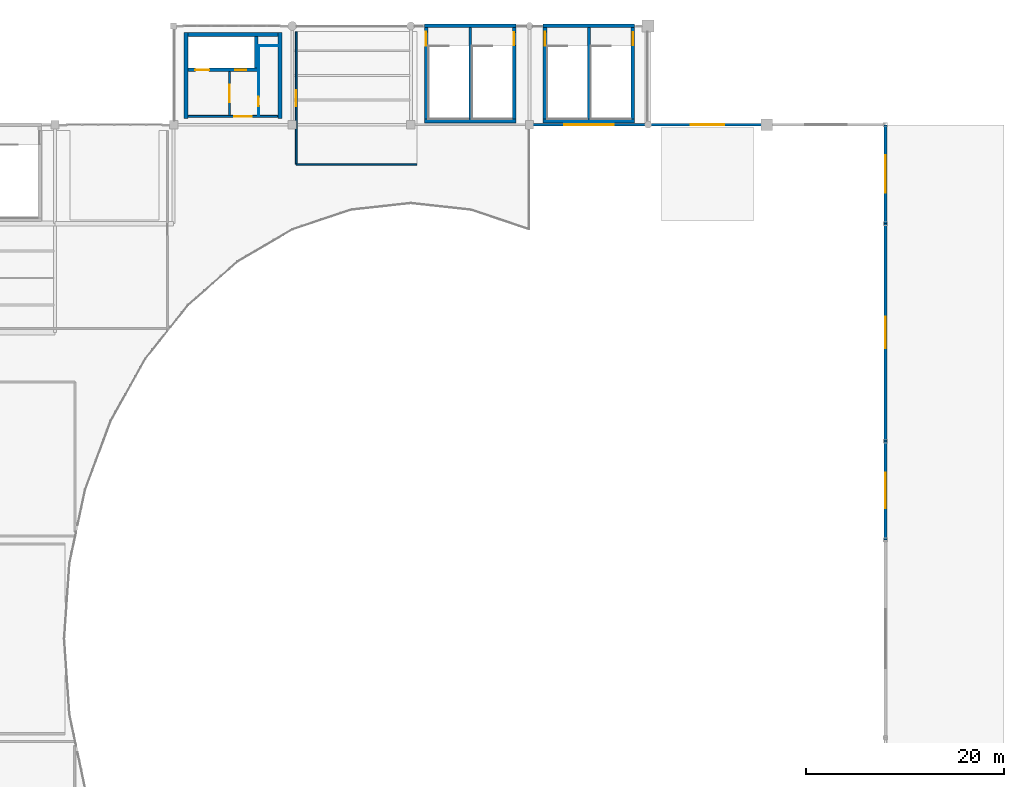
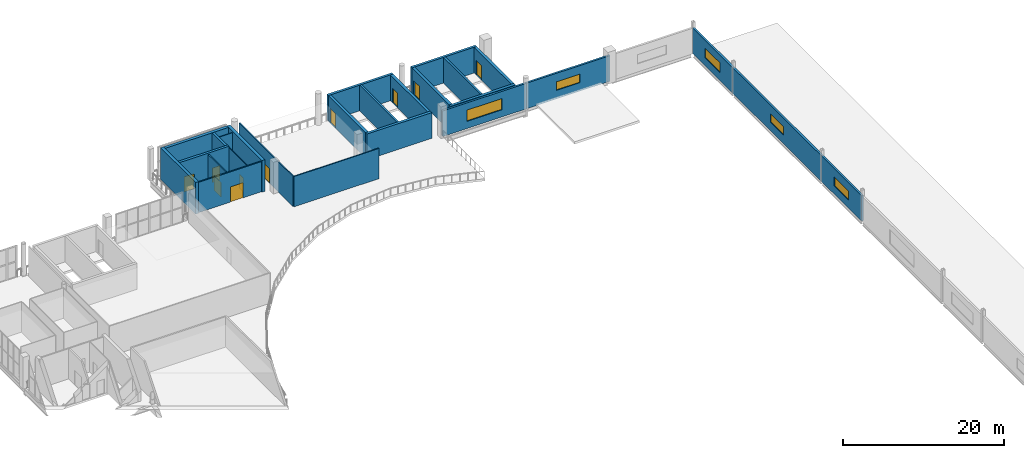
# One storey, part 40 of 49: 26 walls, 10 doors, 5 windows, 15 openings.
"""IFC4 building model written with IfcOpenShell, lengths in metres."""

from ifc_helpers import new_model, si_unit, direction, frame, frame_2d, origin, place, context, subcontext, project, spatial, rectangle, extrude, material, layer, layer_set, type_object, element, fill, save


model = new_model("IFC4")

# Units and contexts
model_context = context("Model", 3, precision=1e-05, world=origin(), true_north=direction((0.0, 1.0)))
body_context = subcontext(model_context, "Body", "Model", "MODEL_VIEW")
ifc_project = project(units=[si_unit("LENGTHUNIT", "METRE"), si_unit("AREAUNIT", "SQUARE_METRE"), si_unit("VOLUMEUNIT", "CUBIC_METRE"), si_unit("PLANEANGLEUNIT", "RADIAN"), si_unit("MASSUNIT", "GRAM", prefix="KILO")], contexts=[model_context])

# Site, building, storey
site_placement = place(None, origin())
site = spatial("IfcSite", under=ifc_project, at=site_placement, CompositionType="ELEMENT")
building_placement = place(site_placement, origin())
building = spatial("IfcBuilding", under=site, at=building_placement, Name="Brinegate Civic Arena", CompositionType="ELEMENT")
storey_placement = place(building_placement, frame((0.0, 0.0, 24.60009765625)))
storey = spatial("IfcBuildingStorey", under=building, at=storey_placement, Name="L05", CompositionType="ELEMENT", Elevation=24.60009765625)

# Wall, openings, doors
ifc_material_1 = material(Name="Concrete C50/60", Category="concrete")
ifc_layer_1 = layer(ifc_material_1, 0.35009765625, Name="Concrete C50/60")
ifc_layer_set_1 = layer_set([ifc_layer_1], Name="Concrete C50/60")
wall_type_1 = type_object("IfcWallType", Name="WALL-CORE-SHEAR-350", PredefinedType="SHEAR", material=ifc_layer_set_1)
wall_1_placement = place(storey_placement, frame((85.4599609375, 119.550048828125, 0.0), z_axis=(0.0, 0.0, 1.0), x_axis=(1.0, 0.0, 0.0)))
wall_1 = element("IfcWall", 1, at=wall_1_placement, inside=storey, type_object=wall_type_1, Name="Core K3 Lift Shaft Front Wall L05 (WBG-93)", PredefinedType="SHEAR", context=body_context, shape_type="SweptSolid", body=[
    extrude(rectangle(XDim=7.06494140625, YDim=0.35009765625, at=frame_2d((3.532470703125, 0.0))), origin(), (0.0, 0.0, 1.0), 4.7998046875),
])
opening_1_placement = place(wall_1_placement, frame((0.739990234375, 0.0, 0.0)))
opening_1 = element("IfcOpeningElement", 2, at=opening_1_placement, cuts=wall_1, Name="Opening LD-FL3-L05", PredefinedType="OPENING", context=body_context, shape_type="SweptSolid", body=[
    extrude(rectangle(XDim=1.39990234375, YDim=2.300048828125, at=frame_2d((0.699951171875, 1.14990234375))), frame((0.0, 0.18505859375, 0.0), z_axis=(0.0, -1.0, 0.0), x_axis=(1.0, 0.0, 0.0)), (0.0, 0.0, 1.0), 0.3701171875),
])
opening_2_placement = place(wall_1_placement, frame((4.7900390625, 0.0, 0.0)))
opening_2 = element("IfcOpeningElement", 3, at=opening_2_placement, cuts=wall_1, Name="Opening LD-PL5-L05", PredefinedType="OPENING", context=body_context, shape_type="SweptSolid", body=[
    extrude(rectangle(XDim=1.10009765625, YDim=2.199951171875, at=frame_2d((0.550048828125, 1.10009765625))), frame((0.0, 0.18505859375, 0.0), z_axis=(0.0, -1.0, 0.0), x_axis=(1.0, 0.0, 0.0)), (0.0, 0.0, 1.0), 0.3701171875),
])
ifc_material_2 = material(Name="Architectural stainless steel balustrade", Category="steel")
door_type_1 = type_object("IfcDoorType", Name="DOOR-LIFT-1100X2200", OperationType="SLIDING_TO_LEFT", PredefinedType="DOOR", material=ifc_material_2)
door_1_placement = place(opening_2_placement, origin())
door_1 = element("IfcDoor", 4, at=door_1_placement, inside=storey, type_object=door_type_1, Name="Sliding Lift Landing Door LD-PL5-L05", OperationType="SLIDING_TO_LEFT", OverallHeight=2.199951171875, OverallWidth=1.10009765625, PredefinedType="DOOR", context=body_context, shape_type="SweptSolid", body=[
    extrude(rectangle(XDim=1.10009765625, YDim=2.199951171875, at=frame_2d((0.550048828125, 1.10009765625))), frame((0.0, 0.02490234375, 0.0), z_axis=(0.0, -1.0, 0.0), x_axis=(1.0, 0.0, 0.0)), (0.0, 0.0, 1.0), 0.050048828125),
])
fill(opening_2, door_1)
door_type_2 = type_object("IfcDoorType", Name="DOOR-LIFT-1400X2300", OperationType="SLIDING_TO_LEFT", PredefinedType="DOOR", material=ifc_material_2)
door_2_placement = place(opening_1_placement, origin())
door_2 = element("IfcDoor", 5, at=door_2_placement, inside=storey, type_object=door_type_2, Name="Sliding Lift Landing Door LD-FL3-L05", OperationType="SLIDING_TO_LEFT", OverallHeight=2.300048828125, OverallWidth=1.39990234375, PredefinedType="DOOR", context=body_context, shape_type="SweptSolid", body=[
    extrude(rectangle(XDim=1.39990234375, YDim=2.300048828125, at=frame_2d((0.699951171875, 1.14990234375))), frame((0.0, 0.02490234375, 0.0), z_axis=(0.0, -1.0, 0.0), x_axis=(1.0, 0.0, 0.0)), (0.0, 0.0, 1.0), 0.050048828125),
])
fill(opening_1, door_2)

# Walls
wall_2_placement = place(storey_placement, frame((92.35009765625, 119.72509765625, 0.0), z_axis=(0.0, 0.0, 1.0), x_axis=(0.0, 1.0, 0.0)))
element("IfcWall", 6, at=wall_2_placement, inside=storey, type_object=wall_type_1, Name="Core K3 Lift Shaft End Wall L05 (WBG-94)", PredefinedType="SHEAR", context=body_context, shape_type="SweptSolid", body=[
    extrude(rectangle(XDim=3.21484375, YDim=0.35009765625, at=frame_2d((1.607421875, 0.0))), origin(), (0.0, 0.0, 1.0), 4.7998046875),
])
ifc_layer_2 = layer(ifc_material_1, 0.389892578125, Name="Concrete C50/60")
ifc_layer_set_2 = layer_set([ifc_layer_2], Name="Concrete C50/60")
wall_type_2 = type_object("IfcWallType", Name="WALL-CORE-SHEAR-390", PredefinedType="SHEAR", material=ifc_layer_set_2)
wall_3_placement = place(storey_placement, frame((121.35498046875, 114.39990234375, 0.0), z_axis=(0.0, 0.0, 1.0), x_axis=(1.0, 0.0, 0.0)))
element("IfcWall", 7, at=wall_3_placement, inside=storey, type_object=wall_type_2, Name="Stair ST-03 South Shear Wall L05 (WBB-87)", PredefinedType="SHEAR", context=body_context, shape_type="SweptSolid", body=[
    extrude(rectangle(XDim=9.2900390625, YDim=0.389892578125, at=frame_2d((4.64501953125, 0.0))), origin(), (0.0, 0.0, 1.0), 3.89990234375),
])

# Wall, opening, door
wall_4_placement = place(storey_placement, frame((121.550048828125, 114.594970703125, 0.0), z_axis=(0.0, 0.0, 1.0), x_axis=(0.0, 1.0, 0.0)))
wall_4 = element("IfcWall", 8, at=wall_4_placement, inside=storey, type_object=wall_type_2, Name="Stair ST-03 West Shear Wall L05 (WBB-89)", PredefinedType="SHEAR", context=body_context, shape_type="SweptSolid", body=[
    extrude(rectangle(XDim=9.22998046875, YDim=0.389892578125, at=frame_2d((4.614990234375, 0.0))), origin(), (0.0, 0.0, 1.0), 3.89990234375),
])
opening_3_placement = place(wall_4_placement, frame((7.405029296875, 0.0, 0.0)))
opening_3 = element("IfcOpeningElement", 9, at=opening_3_placement, cuts=wall_4, Name="Opening D-ST03A-L05", PredefinedType="OPENING", context=body_context, shape_type="SweptSolid", body=[
    extrude(rectangle(XDim=1.39990234375, YDim=2.199951171875, at=frame_2d((0.699951171875, 1.10009765625))), frame((0.0, 0.204833984375, 0.0), z_axis=(0.0, -1.0, 0.0), x_axis=(1.0, 0.0, 0.0)), (0.0, 0.0, 1.0), 0.409912109375),
])
ifc_material_3 = material(Name="Galvanized hurricane steel", Category="steel")
door_type_3 = type_object("IfcDoorType", Name="DOOR-STAIR-2400X2200", OperationType="NOTDEFINED", PredefinedType="DOOR", material=ifc_material_3)
door_3_placement = place(opening_3_placement, frame((1.39990234375, 0.0, 0.0), z_axis=(0.0, 0.0, 1.0), x_axis=(-1.0, 0.0, 0.0)))
door_3 = element("IfcDoor", 10, at=door_3_placement, inside=storey, type_object=door_type_3, Name="Protected Exit Stair Door D-ST03A-L05", OperationType="DOUBLE_DOOR_SINGLE_SWING", OverallHeight=2.199951171875, OverallWidth=1.39990234375, PredefinedType="DOOR", context=body_context, shape_type="SweptSolid", body=[
    extrude(rectangle(XDim=1.39990234375, YDim=2.199951171875, at=frame_2d((0.699951171875, 1.10009765625))), frame((0.0, 0.02490234375, 0.0), z_axis=(0.0, -1.0, 0.0), x_axis=(1.0, 0.0, 0.0)), (0.0, 0.0, 1.0), 0.050048828125),
])
fill(opening_3, door_3)

wall_5_placement = place(storey_placement, frame((130.449951171875, 114.594970703125, 0.0), z_axis=(0.0, 0.0, 1.0), x_axis=(0.0, 1.0, 0.0)))
wall_5 = element("IfcWall", 11, at=wall_5_placement, inside=storey, type_object=wall_type_2, Name="Stair ST-03 East Shear Wall L05 (WBB-90)", PredefinedType="SHEAR", context=body_context, shape_type="SweptSolid", body=[
    extrude(rectangle(XDim=9.22998046875, YDim=0.389892578125, at=frame_2d((4.614990234375, 0.0))), origin(), (0.0, 0.0, 1.0), 3.89990234375),
])
opening_4_placement = place(wall_5_placement, frame((7.445068359375, 0.0, 0.0)))
opening_4 = element("IfcOpeningElement", 12, at=opening_4_placement, cuts=wall_5, Name="Opening D-ST03B-L05", PredefinedType="OPENING", context=body_context, shape_type="SweptSolid", body=[
    extrude(rectangle(XDim=1.320068359375, YDim=2.199951171875, at=frame_2d((0.66015625, 1.10009765625))), frame((0.0, 0.204833984375, 0.0), z_axis=(0.0, -1.0, 0.0), x_axis=(1.0, 0.0, 0.0)), (0.0, 0.0, 1.0), 0.409912109375),
])
door_type_4 = type_object("IfcDoorType", Name="DOOR-STAIR-2200X2200", OperationType="NOTDEFINED", PredefinedType="DOOR", material=ifc_material_3)
door_4_placement = place(opening_4_placement, origin())
door_4 = element("IfcDoor", 13, at=door_4_placement, inside=storey, type_object=door_type_4, Name="Protected Exit Stair Door D-ST03B-L05", OperationType="DOUBLE_DOOR_SINGLE_SWING", OverallHeight=2.199951171875, OverallWidth=1.320068359375, PredefinedType="DOOR", context=body_context, shape_type="SweptSolid", body=[
    extrude(rectangle(XDim=1.320068359375, YDim=2.199951171875, at=frame_2d((0.66015625, 1.10009765625))), frame((0.0, 0.02490234375, 0.0), z_axis=(0.0, -1.0, 0.0), x_axis=(1.0, 0.0, 0.0)), (0.0, 0.0, 1.0), 0.050048828125),
])
fill(opening_4, door_4)

# Wall
wall_6_placement = place(storey_placement, frame((109.35498046875, 114.39990234375, 0.0), z_axis=(0.0, 0.0, 1.0), x_axis=(1.0, 0.0, 0.0)))
element("IfcWall", 14, at=wall_6_placement, inside=storey, type_object=wall_type_2, Name="Stair ST-15 South Shear Wall L05 (WBF-06)", PredefinedType="SHEAR", context=body_context, shape_type="SweptSolid", body=[
    extrude(rectangle(XDim=9.2900390625, YDim=0.389892578125, at=frame_2d((4.64501953125, 0.0))), origin(), (0.0, 0.0, 1.0), 3.89990234375),
])

# Wall, opening, door
wall_7_placement = place(storey_placement, frame((109.550048828125, 114.594970703125, 0.0), z_axis=(0.0, 0.0, 1.0), x_axis=(0.0, 1.0, 0.0)))
wall_7 = element("IfcWall", 15, at=wall_7_placement, inside=storey, type_object=wall_type_2, Name="Stair ST-15 West Shear Wall L05 (WBF-08)", PredefinedType="SHEAR", context=body_context, shape_type="SweptSolid", body=[
    extrude(rectangle(XDim=9.22998046875, YDim=0.389892578125, at=frame_2d((4.614990234375, 0.0))), origin(), (0.0, 0.0, 1.0), 3.89990234375),
])
opening_5_placement = place(wall_7_placement, frame((7.405029296875, 0.0, 0.0)))
opening_5 = element("IfcOpeningElement", 16, at=opening_5_placement, cuts=wall_7, Name="Opening D-ST15A-L05", PredefinedType="OPENING", context=body_context, shape_type="SweptSolid", body=[
    extrude(rectangle(XDim=1.39990234375, YDim=2.199951171875, at=frame_2d((0.699951171875, 1.10009765625))), frame((0.0, 0.204833984375, 0.0), z_axis=(0.0, -1.0, 0.0), x_axis=(1.0, 0.0, 0.0)), (0.0, 0.0, 1.0), 0.409912109375),
])
door_5_placement = place(opening_5_placement, frame((1.39990234375, 0.0, 0.0), z_axis=(0.0, 0.0, 1.0), x_axis=(-1.0, 0.0, 0.0)))
door_5 = element("IfcDoor", 17, at=door_5_placement, inside=storey, type_object=door_type_3, Name="Protected Exit Stair Door D-ST15A-L05", OperationType="DOUBLE_DOOR_SINGLE_SWING", OverallHeight=2.199951171875, OverallWidth=1.39990234375, PredefinedType="DOOR", context=body_context, shape_type="SweptSolid", body=[
    extrude(rectangle(XDim=1.39990234375, YDim=2.199951171875, at=frame_2d((0.699951171875, 1.10009765625))), frame((0.0, 0.02490234375, 0.0), z_axis=(0.0, -1.0, 0.0), x_axis=(1.0, 0.0, 0.0)), (0.0, 0.0, 1.0), 0.050048828125),
])
fill(opening_5, door_5)

wall_8_placement = place(storey_placement, frame((118.449951171875, 114.594970703125, 0.0), z_axis=(0.0, 0.0, 1.0), x_axis=(0.0, 1.0, 0.0)))
wall_8 = element("IfcWall", 18, at=wall_8_placement, inside=storey, type_object=wall_type_2, Name="Stair ST-15 East Shear Wall L05 (WBF-09)", PredefinedType="SHEAR", context=body_context, shape_type="SweptSolid", body=[
    extrude(rectangle(XDim=9.22998046875, YDim=0.389892578125, at=frame_2d((4.614990234375, 0.0))), origin(), (0.0, 0.0, 1.0), 3.89990234375),
])
opening_6_placement = place(wall_8_placement, frame((7.445068359375, 0.0, 0.0)))
opening_6 = element("IfcOpeningElement", 19, at=opening_6_placement, cuts=wall_8, Name="Opening D-ST15B-L05", PredefinedType="OPENING", context=body_context, shape_type="SweptSolid", body=[
    extrude(rectangle(XDim=1.320068359375, YDim=2.199951171875, at=frame_2d((0.66015625, 1.10009765625))), frame((0.0, 0.204833984375, 0.0), z_axis=(0.0, -1.0, 0.0), x_axis=(1.0, 0.0, 0.0)), (0.0, 0.0, 1.0), 0.409912109375),
])
door_6_placement = place(opening_6_placement, origin())
door_6 = element("IfcDoor", 20, at=door_6_placement, inside=storey, type_object=door_type_4, Name="Protected Exit Stair Door D-ST15B-L05", OperationType="DOUBLE_DOOR_SINGLE_SWING", OverallHeight=2.199951171875, OverallWidth=1.320068359375, PredefinedType="DOOR", context=body_context, shape_type="SweptSolid", body=[
    extrude(rectangle(XDim=1.320068359375, YDim=2.199951171875, at=frame_2d((0.66015625, 1.10009765625))), frame((0.0, 0.02490234375, 0.0), z_axis=(0.0, -1.0, 0.0), x_axis=(1.0, 0.0, 0.0)), (0.0, 0.0, 1.0), 0.050048828125),
])
fill(opening_6, door_6)

# Walls
ifc_layer_3 = layer(ifc_material_1, 0.419921875, Name="Concrete C50/60")
ifc_layer_set_3 = layer_set([ifc_layer_3], Name="Concrete C50/60")
wall_type_3 = type_object("IfcWallType", Name="WALL-CORE-SHEAR-420", PredefinedType="SHEAR", material=ifc_layer_set_3)
for number, where, z_axis, x_axis, name in (
    (21, (85.25, 114.639892578125, 0.0), (0.0, 0.0, 1.0), (0.0, 1.0, 0.0), "Core K3 West Shear Wall L05 (WBG-90)"),
    (22, (94.75, 114.639892578125, 0.0), (0.0, 0.0, 1.0), (0.0, 1.0, 0.0), "Core K3 East Shear Wall L05 (WBG-91)"),
):
    element("IfcWall", number, at=place(storey_placement, frame(where, z_axis=z_axis, x_axis=x_axis)), inside=storey, type_object=wall_type_3, Name=name, PredefinedType="SHEAR", context=body_context, shape_type="SweptSolid", body=[
        extrude(rectangle(XDim=8.72021484375, YDim=0.419921875, at=frame_2d((4.360107421875, 0.0))), origin(), (0.0, 0.0, 1.0), 4.7998046875),
    ])
wall_9_placement = place(storey_placement, frame((85.4599609375, 123.14990234375, 0.0), z_axis=(0.0, 0.0, 1.0), x_axis=(1.0, 0.0, 0.0)))
element("IfcWall", 23, at=wall_9_placement, inside=storey, type_object=wall_type_3, Name="Core K3 North Shear Wall L05 (WBG-92)", PredefinedType="SHEAR", context=body_context, shape_type="SweptSolid", body=[
    extrude(rectangle(XDim=9.080078125, YDim=0.419921875, at=frame_2d((4.5400390625, 0.0))), origin(), (0.0, 0.0, 1.0), 4.7998046875),
])

# Wall, opening, window
ifc_material_4 = material(Name="Precast concrete C45/55", Category="concrete")
ifc_layer_4 = layer(ifc_material_4, 0.284912109375, Name="Precast concrete C45/55")
ifc_layer_set_4 = layer_set([ifc_layer_4], Name="Precast concrete C45/55")
wall_type_4 = type_object("IfcWallType", Name="WALL-EXT-PRECAST-285", PredefinedType="SOLIDWALL", material=ifc_layer_set_4)
wall_10_placement = place(storey_placement, frame((156.0, 72.0, 0.0), z_axis=(0.0, 0.0, 1.0), x_axis=(0.0, 1.0, 0.0)))
wall_10 = element("IfcWall", 24, at=wall_10_placement, inside=storey, type_object=wall_type_4, Name="Space-Frame Crown Wall EW-L05-EDRM-5 (WBA-64)", PredefinedType="SOLIDWALL", context=body_context, shape_type="SweptSolid", body=[
    extrude(rectangle(XDim=10.0, YDim=0.284912109375, at=frame_2d((5.0, 0.0))), origin(), (0.0, 0.0, 1.0), 3.8798828125),
])
opening_7_placement = place(wall_10_placement, frame((3.199951171875, 0.0, 1.264892578125)))
opening_7 = element("IfcOpeningElement", 25, at=opening_7_placement, cuts=wall_10, Name="Opening WN-0037", PredefinedType="OPENING", context=body_context, shape_type="SweptSolid", body=[
    extrude(rectangle(XDim=3.60009765625, YDim=1.35009765625, at=frame_2d((1.800048828125, 0.675048828125))), frame((0.0, 0.15234375, 0.0), z_axis=(0.0, -1.0, 0.0), x_axis=(1.0, 0.0, 0.0)), (0.0, 0.0, 1.0), 0.304931640625),
])
ifc_material_5 = material(Name="Hurricane laminated low-E glass", Category="glass")
window_type_1 = type_object("IfcWindowType", Name="WIN-CLERESTORY-3600X1350", PartitioningType="SINGLE_PANEL", PredefinedType="WINDOW", material=ifc_material_5)
window_1_placement = place(opening_7_placement, origin())
window_1 = element("IfcWindow", 26, at=window_1_placement, inside=storey, type_object=window_type_1, Name="Clerestory Window WN-0037", OverallHeight=1.35009765625, OverallWidth=3.60009765625, PartitioningType="SINGLE_PANEL", PredefinedType="WINDOW", context=body_context, shape_type="SweptSolid", body=[
    extrude(rectangle(XDim=3.60009765625, YDim=1.35009765625, at=frame_2d((1.800048828125, 0.675048828125))), frame((0.0, 0.030029296875, 0.0), z_axis=(0.0, -1.0, 0.0), x_axis=(1.0, 0.0, 0.0)), (0.0, 0.0, 1.0), 0.06005859375),
])
fill(opening_7, window_1)

wall_11_placement = place(storey_placement, frame((156.0, 82.0, 0.0), z_axis=(0.0, 0.0, 1.0), x_axis=(0.0, 1.0, 0.0)))
wall_11 = element("IfcWall", 27, at=wall_11_placement, inside=storey, type_object=wall_type_4, Name="Space-Frame Crown Wall EW-L05-EDRM-6 (WBA-68)", PredefinedType="SOLIDWALL", context=body_context, shape_type="SweptSolid", body=[
    extrude(rectangle(XDim=22.0, YDim=0.284912109375, at=frame_2d((11.0, 0.0))), origin(), (0.0, 0.0, 1.0), 3.8798828125),
])
opening_8_placement = place(wall_11_placement, frame((9.39990234375, 0.0, 1.31494140625)))
opening_8 = element("IfcOpeningElement", 28, at=opening_8_placement, cuts=wall_11, Name="Opening WN-0038", PredefinedType="OPENING", context=body_context, shape_type="SweptSolid", body=[
    extrude(rectangle(XDim=3.199951171875, YDim=1.25, at=frame_2d((1.60009765625, 0.625))), frame((0.0, 0.15234375, 0.0), z_axis=(0.0, -1.0, 0.0), x_axis=(1.0, 0.0, 0.0)), (0.0, 0.0, 1.0), 0.304931640625),
])
window_type_2 = type_object("IfcWindowType", Name="WIN-CLERESTORY-3200X1250", PartitioningType="SINGLE_PANEL", PredefinedType="WINDOW", material=ifc_material_5)
window_2_placement = place(opening_8_placement, origin())
window_2 = element("IfcWindow", 29, at=window_2_placement, inside=storey, type_object=window_type_2, Name="Clerestory Window WN-0038", OverallHeight=1.25, OverallWidth=3.199951171875, PartitioningType="SINGLE_PANEL", PredefinedType="WINDOW", context=body_context, shape_type="SweptSolid", body=[
    extrude(rectangle(XDim=3.199951171875, YDim=1.25, at=frame_2d((1.60009765625, 0.625))), frame((0.0, 0.030029296875, 0.0), z_axis=(0.0, -1.0, 0.0), x_axis=(1.0, 0.0, 0.0)), (0.0, 0.0, 1.0), 0.06005859375),
])
fill(opening_8, window_2)

wall_12_placement = place(storey_placement, frame((156.0, 104.0, 0.0), z_axis=(0.0, 0.0, 1.0), x_axis=(0.0, 1.0, 0.0)))
wall_12 = element("IfcWall", 30, at=wall_12_placement, inside=storey, type_object=wall_type_4, Name="Space-Frame Crown Wall EW-L05-EDRM-7 (WBA-72)", PredefinedType="SOLIDWALL", context=body_context, shape_type="SweptSolid", body=[
    extrude(rectangle(XDim=10.0, YDim=0.284912109375, at=frame_2d((5.0, 0.0))), origin(), (0.0, 0.0, 1.0), 3.8798828125),
])
opening_9_placement = place(wall_12_placement, frame((3.10009765625, 0.0, 1.18994140625)))
opening_9 = element("IfcOpeningElement", 31, at=opening_9_placement, cuts=wall_12, Name="Opening WN-0039", PredefinedType="OPENING", context=body_context, shape_type="SweptSolid", body=[
    extrude(rectangle(XDim=3.800048828125, YDim=1.5, at=frame_2d((1.89990234375, 0.75))), frame((0.0, 0.15234375, 0.0), z_axis=(0.0, -1.0, 0.0), x_axis=(1.0, 0.0, 0.0)), (0.0, 0.0, 1.0), 0.304931640625),
])
window_type_3 = type_object("IfcWindowType", Name="WIN-CLERESTORY-3800X1500", PartitioningType="SINGLE_PANEL", PredefinedType="WINDOW", material=ifc_material_5)
window_3_placement = place(opening_9_placement, origin())
window_3 = element("IfcWindow", 32, at=window_3_placement, inside=storey, type_object=window_type_3, Name="Clerestory Window WN-0039", OverallHeight=1.5, OverallWidth=3.800048828125, PartitioningType="SINGLE_PANEL", PredefinedType="WINDOW", context=body_context, shape_type="SweptSolid", body=[
    extrude(rectangle(XDim=3.800048828125, YDim=1.5, at=frame_2d((1.89990234375, 0.75))), frame((0.0, 0.030029296875, 0.0), z_axis=(0.0, -1.0, 0.0), x_axis=(1.0, 0.0, 0.0)), (0.0, 0.0, 1.0), 0.06005859375),
])
fill(opening_9, window_3)

wall_13_placement = place(storey_placement, frame((120.0, 114.0, 0.0), z_axis=(0.0, 0.0, 1.0), x_axis=(1.0, 0.0, 0.0)))
wall_13 = element("IfcWall", 33, at=wall_13_placement, inside=storey, type_object=wall_type_4, Name="Space-Frame Crown Wall EW-L05-GBL-N06 (WBA-86)", PredefinedType="SOLIDWALL", context=body_context, shape_type="SweptSolid", body=[
    extrude(rectangle(XDim=12.0, YDim=0.284912109375, at=frame_2d((6.0, 0.0))), origin(), (0.0, 0.0, 1.0), 3.8798828125),
])
opening_10_placement = place(wall_13_placement, frame((3.5, 0.0, 1.090087890625)))
opening_10 = element("IfcOpeningElement", 34, at=opening_10_placement, cuts=wall_13, Name="Opening WN-0041", PredefinedType="OPENING", context=body_context, shape_type="SweptSolid", body=[
    extrude(rectangle(XDim=5.0, YDim=1.699951171875, at=frame_2d((2.5, 0.85009765625))), frame((0.0, 0.15234375, 0.0), z_axis=(0.0, -1.0, 0.0), x_axis=(1.0, 0.0, 0.0)), (0.0, 0.0, 1.0), 0.304931640625),
])
window_type_4 = type_object("IfcWindowType", Name="WIN-CLERESTORY-5000X1700", PartitioningType="SINGLE_PANEL", PredefinedType="WINDOW", material=ifc_material_5)
window_4_placement = place(opening_10_placement, origin())
window_4 = element("IfcWindow", 35, at=window_4_placement, inside=storey, type_object=window_type_4, Name="Clerestory Window WN-0041", OverallHeight=1.699951171875, OverallWidth=5.0, PartitioningType="SINGLE_PANEL", PredefinedType="WINDOW", context=body_context, shape_type="SweptSolid", body=[
    extrude(rectangle(XDim=5.0, YDim=1.699951171875, at=frame_2d((2.5, 0.85009765625))), frame((0.0, 0.030029296875, 0.0), z_axis=(0.0, -1.0, 0.0), x_axis=(1.0, 0.0, 0.0)), (0.0, 0.0, 1.0), 0.06005859375),
])
fill(opening_10, window_4)

wall_14_placement = place(storey_placement, frame((132.0, 114.0, 0.0), z_axis=(0.0, 0.0, 1.0), x_axis=(1.0, 0.0, 0.0)))
wall_14 = element("IfcWall", 36, at=wall_14_placement, inside=storey, type_object=wall_type_4, Name="Space-Frame Crown Wall EW-L05-GBL-N07 (WBA-90)", PredefinedType="SOLIDWALL", context=body_context, shape_type="SweptSolid", body=[
    extrude(rectangle(XDim=12.0, YDim=0.284912109375, at=frame_2d((6.0, 0.0))), origin(), (0.0, 0.0, 1.0), 3.8798828125),
])
opening_11_placement = place(wall_14_placement, frame((4.300048828125, 0.0, 1.2900390625)))
opening_11 = element("IfcOpeningElement", 37, at=opening_11_placement, cuts=wall_14, Name="Opening WN-0043", PredefinedType="OPENING", context=body_context, shape_type="SweptSolid", body=[
    extrude(rectangle(XDim=3.39990234375, YDim=1.300048828125, at=frame_2d((1.699951171875, 0.64990234375))), frame((0.0, 0.15234375, 0.0), z_axis=(0.0, -1.0, 0.0), x_axis=(1.0, 0.0, 0.0)), (0.0, 0.0, 1.0), 0.304931640625),
])
window_type_5 = type_object("IfcWindowType", Name="WIN-CLERESTORY-3400X1300", PartitioningType="SINGLE_PANEL", PredefinedType="WINDOW", material=ifc_material_5)
window_5_placement = place(opening_11_placement, origin())
window_5 = element("IfcWindow", 38, at=window_5_placement, inside=storey, type_object=window_type_5, Name="Clerestory Window WN-0043", OverallHeight=1.300048828125, OverallWidth=3.39990234375, PartitioningType="SINGLE_PANEL", PredefinedType="WINDOW", context=body_context, shape_type="SweptSolid", body=[
    extrude(rectangle(XDim=3.39990234375, YDim=1.300048828125, at=frame_2d((1.699951171875, 0.64990234375))), frame((0.0, 0.030029296875, 0.0), z_axis=(0.0, -1.0, 0.0), x_axis=(1.0, 0.0, 0.0)), (0.0, 0.0, 1.0), 0.06005859375),
])
fill(opening_11, window_5)

# Walls
ifc_layer_5 = layer(ifc_material_1, 0.35009765625, Name="Concrete C50/60")
ifc_layer_set_5 = layer_set([ifc_layer_5], Name="Concrete C50/60")
wall_type_5 = type_object("IfcWallType", Name="WALL-EXT-STAIR-SHEAR-350", PredefinedType="SHEAR", material=ifc_layer_set_5)
for number, where, z_axis, x_axis, name in (
    (39, (121.35498046875, 124.0, 0.0), (0.0, 0.0, 1.0), (1.0, 0.0, 0.0), "Stair ST-03 North Shear Wall L05 (WBB-88)"),
    (40, (109.35498046875, 124.0, 0.0), (0.0, 0.0, 1.0), (1.0, 0.0, 0.0), "Stair ST-15 North Shear Wall L05 (WBF-07)"),
):
    element("IfcWall", number, at=place(storey_placement, frame(where, z_axis=z_axis, x_axis=x_axis)), inside=storey, type_object=wall_type_5, Name=name, PredefinedType="SHEAR", context=body_context, shape_type="SweptSolid", body=[
        extrude(rectangle(XDim=9.2900390625, YDim=0.35009765625, at=frame_2d((4.64501953125, 0.0))), origin(), (0.0, 0.0, 1.0), 3.89990234375),
    ])
ifc_material_6 = material(Name="Fire-rated gypsum partition assembly")
ifc_layer_6 = layer(ifc_material_6, 0.159912109375, Name="Fire-rated gypsum partition assembly")
ifc_layer_set_6 = layer_set([ifc_layer_6], Name="Fire-rated gypsum partition assembly")
wall_type_6 = type_object("IfcWallType", Name="WALL-PART-RATED-160", PredefinedType="PARTITIONING", material=ifc_layer_set_6)
wall_15_placement = place(storey_placement, frame((108.60009765625, 110.0, 0.0), z_axis=(0.0, 0.0, 1.0), x_axis=(-1.0, 0.0, 0.0)))
element("IfcWall", 41, at=wall_15_placement, inside=storey, type_object=wall_type_6, Name="Press Conference Theatre Partition Wall E2 (WBK-59)", PredefinedType="PARTITIONING", context=body_context, shape_type="SweptSolid", body=[
    extrude(rectangle(XDim=12.2001953125, YDim=0.159912109375, at=frame_2d((6.10009765625, 0.0))), origin(), (0.0, 0.0, 1.0), 4.579833984375),
])

# Wall, opening, door
wall_16_placement = place(storey_placement, frame((96.39990234375, 110.0, 0.0), z_axis=(0.0, 0.0, 1.0), x_axis=(0.0, 1.0, 0.0)))
wall_16 = element("IfcWall", 42, at=wall_16_placement, inside=storey, type_object=wall_type_6, Name="Press Conference Theatre Partition Wall E3 (WBK-60)", PredefinedType="PARTITIONING", context=body_context, shape_type="SweptSolid", body=[
    extrude(rectangle(XDim=13.39990234375, YDim=0.159912109375, at=frame_2d((6.699951171875, 0.0))), origin(), (0.0, 0.0, 1.0), 4.579833984375),
])
opening_12_placement = place(wall_16_placement, frame((5.89990234375, 0.0, 0.0)))
opening_12 = element("IfcOpeningElement", 43, at=opening_12_placement, cuts=wall_16, Name="Opening D-L05-225", PredefinedType="OPENING", context=body_context, shape_type="SweptSolid", body=[
    extrude(rectangle(XDim=1.60009765625, YDim=2.199951171875, at=frame_2d((0.800048828125, 1.10009765625))), frame((0.0, 0.08984375, 0.0), z_axis=(0.0, -1.0, 0.0), x_axis=(1.0, 0.0, 0.0)), (0.0, 0.0, 1.0), 0.179931640625),
])
ifc_material_7 = material(Name="Hardwood acoustic timber door", Category="wood")
door_type_5 = type_object("IfcDoorType", Name="DOOR-CLUB-1600X2200", OperationType="NOTDEFINED", PredefinedType="DOOR", material=ifc_material_7)
door_7_placement = place(opening_12_placement, origin())
door_7 = element("IfcDoor", 44, at=door_7_placement, inside=storey, type_object=door_type_5, Name="Press Conference Theatre Door D-L05-225", OperationType="DOUBLE_DOOR_SINGLE_SWING", OverallHeight=2.199951171875, OverallWidth=1.60009765625, PredefinedType="DOOR", context=body_context, shape_type="SweptSolid", body=[
    extrude(rectangle(XDim=1.60009765625, YDim=2.199951171875, at=frame_2d((0.800048828125, 1.10009765625))), frame((0.0, 0.02490234375, 0.0), z_axis=(0.0, -1.0, 0.0), x_axis=(1.0, 0.0, 0.0)), (0.0, 0.0, 1.0), 0.050048828125),
])
fill(opening_12, door_7)

ifc_material_8 = material(Name="Concrete blockwork masonry", Category="masonry")
ifc_layer_7 = layer(ifc_material_8, 0.18994140625, Name="Concrete blockwork masonry")
ifc_layer_set_7 = layer_set([ifc_layer_7], Name="Concrete blockwork masonry")
wall_type_7 = type_object("IfcWallType", Name="WALL-PART-RATED-190", PredefinedType="PARTITIONING", material=ifc_layer_set_7)
wall_17_placement = place(storey_placement, frame((85.469970703125, 114.85009765625, 0.0), z_axis=(0.0, 0.0, 1.0), x_axis=(1.0, 0.0, 0.0)))
wall_17 = element("IfcWall", 45, at=wall_17_placement, inside=storey, type_object=wall_type_7, Name="Core K3 Concourse Lobby Wall L05 (WBG-95)", PredefinedType="PARTITIONING", context=body_context, shape_type="SweptSolid", body=[
    extrude(rectangle(XDim=9.06005859375, YDim=0.18994140625, at=frame_2d((4.530029296875, 0.0))), origin(), (0.0, 0.0, 1.0), 4.579833984375),
])
opening_13_placement = place(wall_17_placement, frame((4.64990234375, 0.0, 0.0)))
opening_13 = element("IfcOpeningElement", 46, at=opening_13_placement, cuts=wall_17, Name="Opening D-K3L-L05", PredefinedType="OPENING", context=body_context, shape_type="SweptSolid", body=[
    extrude(rectangle(XDim=1.800048828125, YDim=2.300048828125, at=frame_2d((0.89990234375, 1.14990234375))), frame((0.0, 0.10498046875, 0.0), z_axis=(0.0, -1.0, 0.0), x_axis=(1.0, 0.0, 0.0)), (0.0, 0.0, 1.0), 0.2099609375),
])
ifc_material_9 = material(Name="Marine grade aluminium", Category="aluminium")
door_type_6 = type_object("IfcDoorType", Name="DOOR-CONC-1800X2300", OperationType="NOTDEFINED", PredefinedType="DOOR", material=ifc_material_9)
door_8_placement = place(opening_13_placement, origin())
door_8 = element("IfcDoor", 47, at=door_8_placement, inside=storey, type_object=door_type_6, Name="Lift Lobby Door D-K3L-L05", OperationType="DOUBLE_DOOR_SINGLE_SWING", OverallHeight=2.300048828125, OverallWidth=1.800048828125, PredefinedType="DOOR", context=body_context, shape_type="SweptSolid", body=[
    extrude(rectangle(XDim=1.800048828125, YDim=2.300048828125, at=frame_2d((0.89990234375, 1.14990234375))), frame((0.0, 0.02490234375, 0.0), z_axis=(0.0, -1.0, 0.0), x_axis=(1.0, 0.0, 0.0)), (0.0, 0.0, 1.0), 0.050048828125),
])
fill(opening_13, door_8)

wall_18_placement = place(storey_placement, frame((89.64990234375, 114.949951171875, 0.0), z_axis=(0.0, 0.0, 1.0), x_axis=(0.0, 1.0, 0.0)))
wall_18 = element("IfcWall", 48, at=wall_18_placement, inside=storey, type_object=wall_type_7, Name="Firefighting Lobby K3 Wall L05 (WBG-96)", PredefinedType="PARTITIONING", context=body_context, shape_type="SweptSolid", body=[
    extrude(rectangle(XDim=4.425048828125, YDim=0.18994140625, at=frame_2d((2.21240234375, 0.0))), origin(), (0.0, 0.0, 1.0), 4.579833984375),
])
opening_14_placement = place(wall_18_placement, frame((1.31298828125, 0.0, 0.0)))
opening_14 = element("IfcOpeningElement", 49, at=opening_14_placement, cuts=wall_18, Name="Opening D-K3F-L05", PredefinedType="OPENING", context=body_context, shape_type="SweptSolid", body=[
    extrude(rectangle(XDim=1.800048828125, YDim=2.199951171875, at=frame_2d((0.89990234375, 1.10009765625))), frame((0.0, 0.10498046875, 0.0), z_axis=(0.0, -1.0, 0.0), x_axis=(1.0, 0.0, 0.0)), (0.0, 0.0, 1.0), 0.2099609375),
])
door_type_7 = type_object("IfcDoorType", Name="DOOR-FFLOB-1800X2200", OperationType="NOTDEFINED", PredefinedType="DOOR", material=ifc_material_3)
door_9_placement = place(opening_14_placement, origin())
door_9 = element("IfcDoor", 50, at=door_9_placement, inside=storey, type_object=door_type_7, Name="Firefighting Lift Lobby Door D-K3F-L05", OperationType="DOUBLE_DOOR_SINGLE_SWING", OverallHeight=2.199951171875, OverallWidth=1.800048828125, PredefinedType="DOOR", context=body_context, shape_type="SweptSolid", body=[
    extrude(rectangle(XDim=1.800048828125, YDim=2.199951171875, at=frame_2d((0.89990234375, 1.10009765625))), frame((0.0, 0.02490234375, 0.0), z_axis=(0.0, -1.0, 0.0), x_axis=(1.0, 0.0, 0.0)), (0.0, 0.0, 1.0), 0.050048828125),
])
fill(opening_14, door_9)

ifc_layer_8 = layer(ifc_material_8, 0.10009765625, Name="Concrete blockwork masonry")
ifc_layer_set_8 = layer_set([ifc_layer_8], Name="Concrete blockwork masonry")
wall_type_8 = type_object("IfcWallType", Name="WALL-PART-WET-100", PredefinedType="PARTITIONING", material=ifc_layer_set_8)
wall_19_placement = place(storey_placement, frame((92.60009765625, 114.949951171875, 0.0), z_axis=(0.0, 0.0, 1.0), x_axis=(0.0, 1.0, 0.0)))
wall_19 = element("IfcWall", 51, at=wall_19_placement, inside=storey, type_object=wall_type_8, Name="Accessible WC K3 Partition L05 (WBG-97)", PredefinedType="PARTITIONING", context=body_context, shape_type="SweptSolid", body=[
    extrude(rectangle(XDim=7.050048828125, YDim=0.10009765625, at=frame_2d((3.52490234375, 0.0))), origin(), (0.0, 0.0, 1.0), 4.579833984375),
])
opening_15_placement = place(wall_19_placement, frame((0.89990234375, 0.0, 0.0)))
opening_15 = element("IfcOpeningElement", 52, at=opening_15_placement, cuts=wall_19, Name="Opening D-K3W-L05", PredefinedType="OPENING", context=body_context, shape_type="SweptSolid", body=[
    extrude(rectangle(XDim=1.0, YDim=2.10009765625, at=frame_2d((0.5, 1.050048828125))), frame((0.0, 0.06005859375, 0.0), z_axis=(0.0, -1.0, 0.0), x_axis=(1.0, 0.0, 0.0)), (0.0, 0.0, 1.0), 0.1201171875),
])
door_type_8 = type_object("IfcDoorType", Name="DOOR-AWC-1000X2100", OperationType="NOTDEFINED", PredefinedType="DOOR", material=ifc_material_7)
door_10_placement = place(opening_15_placement, origin())
door_10 = element("IfcDoor", 53, at=door_10_placement, inside=storey, type_object=door_type_8, Name="Accessible WC Door D-K3W-L05", OperationType="SINGLE_SWING_RIGHT", OverallHeight=2.10009765625, OverallWidth=1.0, PredefinedType="DOOR", context=body_context, shape_type="SweptSolid", body=[
    extrude(rectangle(XDim=1.0, YDim=2.10009765625, at=frame_2d((0.5, 1.050048828125))), frame((0.0, 0.02490234375, 0.0), z_axis=(0.0, -1.0, 0.0), x_axis=(1.0, 0.0, 0.0)), (0.0, 0.0, 1.0), 0.050048828125),
])
fill(opening_15, door_10)

# Walls
wall_20_placement = place(storey_placement, frame((92.60009765625, 122.0, 0.0), z_axis=(0.0, 0.0, 1.0), x_axis=(1.0, 0.0, 0.0)))
element("IfcWall", 54, at=wall_20_placement, inside=storey, type_object=wall_type_8, Name="Accessible WC K3 Back Partition L05 (WBG-98)", PredefinedType="PARTITIONING", context=body_context, shape_type="SweptSolid", body=[
    extrude(rectangle(XDim=2.0, YDim=0.10009765625, at=frame_2d((1.0, 0.0))), origin(), (0.0, 0.0, 1.0), 4.579833984375),
])
ifc_layer_9 = layer(ifc_material_1, 0.2900390625, Name="Concrete C50/60")
ifc_layer_set_9 = layer_set([ifc_layer_9], Name="Concrete C50/60")
wall_type_9 = type_object("IfcWallType", Name="WALL-STAIR-SHEAR-290", PredefinedType="SHEAR", material=ifc_layer_set_9)
for number, where, z_axis, x_axis, name in (
    (55, (126.0, 114.594970703125, 0.0), (0.0, 0.0, 1.0), (0.0, 1.0, 0.0), "Stair ST-03 Central Dividing Shear Wall L05 (WBB-91)"),
    (56, (114.0, 114.594970703125, 0.0), (0.0, 0.0, 1.0), (0.0, 1.0, 0.0), "Stair ST-15 Central Dividing Shear Wall L05 (WBF-10)"),
):
    element("IfcWall", number, at=place(storey_placement, frame(where, z_axis=z_axis, x_axis=x_axis)), inside=storey, type_object=wall_type_9, Name=name, PredefinedType="SHEAR", context=body_context, shape_type="SweptSolid", body=[
        extrude(rectangle(XDim=9.22998046875, YDim=0.2900390625, at=frame_2d((4.614990234375, 0.0))), origin(), (0.0, 0.0, 1.0), 3.89990234375),
    ])

save(model, "model.ifc")
